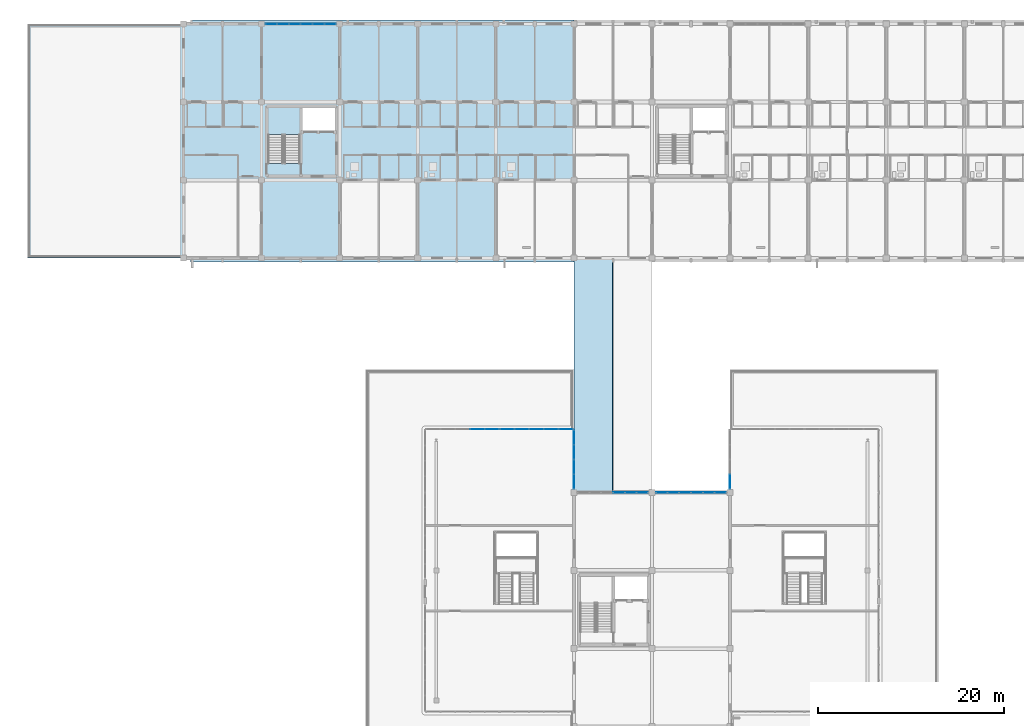
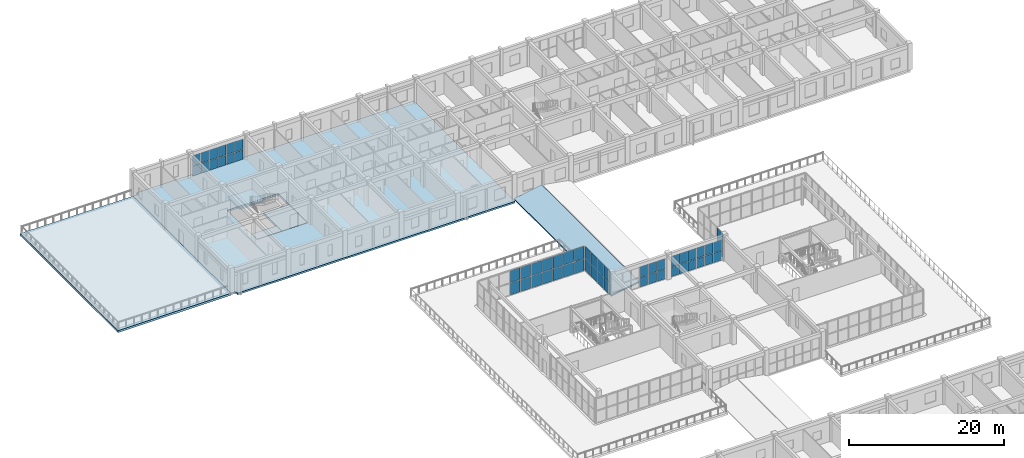
# One storey, part 56 of 90: 54 plates, 6 slabs, 8 elements without a shape of their own.
"""IFC4 building model written with IfcOpenShell, lengths in metres."""

import ifcopenshell
import ifcopenshell.guid

model = None  # the IFC model being written
_history = None  # IfcOwnerHistory: only IFC2X3 demands one
_inside = {}  # id of a spatial element -> (the spatial element, [elements in it])
_under = {}  # id of a project, library or spatial element -> (it, [spatial elements below it])
_declared = {}  # id of a project -> (the project, [libraries it declares])
_typed = {}  # id of a type object -> (the type object, [elements of that type])
_made_of = {}  # id of a material, layer set ... -> (it, [elements and type objects made of it])


def new_model(schema):
    """Start an empty IFC model of exactly this schema.

    Asked for "IFC4X3", IfcOpenShell would pick the latest addendum, in which some entities
    have other attributes; the version numbers below select the first issue.
    IFC2X3 requires an IfcOwnerHistory on every rooted entity: one is made here for all.
    """
    global model, _history
    if schema == "IFC4X3":
        model = ifcopenshell.file(schema_version=(4, 3, 0, 0))
    else:
        model = ifcopenshell.file(schema=schema)
    _inside.clear()
    _under.clear()
    _declared.clear()
    _typed.clear()
    _made_of.clear()
    _history = None
    if model.schema == "IFC2X3":
        org = make("IfcOrganization", Name="unknown")
        user = make(
            "IfcPersonAndOrganization",
            ThePerson=make("IfcPerson", FamilyName="unknown"),
            TheOrganization=org,
        )
        app = make(
            "IfcApplication",
            ApplicationDeveloper=org,
            Version="unknown",
            ApplicationFullName="unknown",
            ApplicationIdentifier="unknown",
        )
        _history = make(
            "IfcOwnerHistory",
            OwningUser=user,
            OwningApplication=app,
            ChangeAction="ADDED",
            CreationDate=0,
        )
    return model


def make(cls, **values):
    """One entity of the class cls with the attributes given. An attribute that is None is left unset."""
    return model.create_entity(
        cls, **{name: value for name, value in values.items() if value is not None}
    )


def rooted(cls, **values):
    """An entity with a GlobalId (a new one), such as an element, a storey or a relation."""
    return make(cls, GlobalId=ifcopenshell.guid.new(), OwnerHistory=_history, **values)


def si_unit(unit_type, name, prefix=None):
    """IfcSIUnit, for example si_unit("LENGTHUNIT", "METRE", prefix="MILLI")."""
    return make("IfcSIUnit", UnitType=unit_type, Prefix=prefix, Name=name)


def assignment(units):
    """IfcUnitAssignment: the units of a project."""
    return None if units is None else make("IfcUnitAssignment", Units=units)


def point(xyz):
    """IfcCartesianPoint."""
    return None if xyz is None else make("IfcCartesianPoint", Coordinates=xyz)


def direction(xyz):
    """IfcDirection."""
    return None if xyz is None else make("IfcDirection", DirectionRatios=xyz)


def frame(location, z_axis=None, x_axis=None):
    """IfcAxis2Placement3D, a coordinate frame: its origin and axes. An axis left out is left unset."""
    return make(
        "IfcAxis2Placement3D",
        Location=point(location),
        Axis=direction(z_axis),
        RefDirection=direction(x_axis),
    )


def frame_2d(location, x_axis=None):
    """IfcAxis2Placement2D, a coordinate frame in the plane: its origin and x axis."""
    return make(
        "IfcAxis2Placement2D", Location=point(location), RefDirection=direction(x_axis)
    )


def origin():
    """The frame at (0, 0, 0) with its axes left unset."""
    return frame((0.0, 0.0, 0.0))


def origin_2d():
    """The frame at (0, 0) in the plane with its x axis left unset."""
    return frame_2d((0.0, 0.0))


def place(relative_to, where):
    """IfcLocalPlacement: puts the frame where relative to a parent placement (None: the world)."""
    return make(
        "IfcLocalPlacement", PlacementRelTo=relative_to, RelativePlacement=where
    )


def context(
    kind, dimensions, precision=None, world=None, true_north=None, identifier=None
):
    """IfcGeometricRepresentationContext, for example the 3D "Model" context."""
    return make(
        "IfcGeometricRepresentationContext",
        ContextIdentifier=identifier,
        ContextType=kind,
        CoordinateSpaceDimension=dimensions,
        Precision=precision,
        WorldCoordinateSystem=world,
        TrueNorth=true_north,
    )


def subcontext(parent, identifier, kind, view, scale=None):
    """IfcGeometricRepresentationSubContext, for example "Body" below "Model"."""
    return make(
        "IfcGeometricRepresentationSubContext",
        ContextIdentifier=identifier,
        ContextType=kind,
        ParentContext=parent,
        TargetScale=scale,
        TargetView=view,
    )


def project(units=None, contexts=None):
    """IfcProject with its units and contexts."""
    return rooted(
        "IfcProject",
        Name="project",
        RepresentationContexts=contexts,
        UnitsInContext=assignment(units),
    )


def spatial(cls, under=None, at=None, **own):
    """A site, building, storey or space (cls), placed at a placement, below another one or the project."""
    s = rooted(cls, ObjectPlacement=at, **own)
    if under is not None:
        _under.setdefault(under.id(), (under, []))[1].append(s)
    return s


def polyline(points):
    """IfcPolyline through the points."""
    return make("IfcPolyline", Points=[point(p) for p in points])


def profile(cls, at=None, kind="AREA", **sizes):
    """A parametric profile (cls). Its sizes go by their IFC names, for example OverallWidth=200.0."""
    return make(cls, ProfileType=kind, Position=at, **sizes)


def rectangle(**sizes):
    """IfcRectangleProfileDef."""
    return profile("IfcRectangleProfileDef", **sizes)


def outline(outer, holes=None, kind="AREA"):
    """IfcArbitraryClosedProfileDef: a profile drawn as a closed curve; with holes, ...WithVoids."""
    if holes is None:
        return make("IfcArbitraryClosedProfileDef", ProfileType=kind, OuterCurve=outer)
    return make(
        "IfcArbitraryProfileDefWithVoids",
        ProfileType=kind,
        OuterCurve=outer,
        InnerCurves=holes,
    )


def extrude(swept, where, along, depth):
    """IfcExtrudedAreaSolid: the profile swept, set in the frame where, extruded along a direction by depth."""
    return make(
        "IfcExtrudedAreaSolid",
        SweptArea=swept,
        Position=where,
        ExtrudedDirection=direction(along),
        Depth=depth,
    )


def shape(context_of_items, identifier, shape_type, items):
    """IfcShapeRepresentation: the items that make up one representation, for example the "Body"."""
    return make(
        "IfcShapeRepresentation",
        ContextOfItems=context_of_items,
        RepresentationIdentifier=identifier,
        RepresentationType=shape_type,
        Items=items,
    )


def material(Name=None, Category=None):
    """IfcMaterial."""
    return make("IfcMaterial", Name=Name, Category=Category)


def layer(
    of_material, thickness, ventilated=None, Name=None, Category=None, Priority=None
):
    """IfcMaterialLayer: one layer of a wall or slab, of a material (None: an air gap)."""
    return make(
        "IfcMaterialLayer",
        Material=of_material,
        LayerThickness=thickness,
        IsVentilated=ventilated,
        Name=Name,
        Category=Category,
        Priority=Priority,
    )


def layer_set(layers, Name=None):
    """IfcMaterialLayerSet."""
    return make("IfcMaterialLayerSet", MaterialLayers=layers, LayerSetName=Name)


def made_of(thing, what):
    """Note that an element or type object is made of a material, layer set ...; save() writes the relation."""
    if what is not None:
        _made_of.setdefault(what.id(), (what, []))[1].append(thing)
    return thing


def type_object(cls, material=None, **own):
    """A type object (cls), such as IfcWallType, which elements share."""
    return made_of(rooted(cls, **own), material)


def element(
    cls,
    number,
    at=None,
    inside=None,
    cuts=None,
    type_object=None,
    material=None,
    context=None,
    identifier="Body",
    shape_type=None,
    held_by="IfcProductDefinitionShape",
    body=None,
    shapes=None,
    **own,
):
    """One element of the class cls, such as IfcWall. Its Tag is "e" and its number.

    at: its placement. inside: the storey or other place that contains it. cuts: it is an
    opening in that element (IfcRelVoidsElement). A single representation is given by context,
    identifier, shape_type and body (its items); several are given by shapes. held_by: the class
    of the entity that holds the representations. save() writes the other relations.
    """
    e = rooted(cls, Tag="e%d" % number, ObjectPlacement=at, **own)
    if body is not None:
        shapes = [shape(context, identifier, shape_type, body)]
    if shapes is not None:
        e.Representation = make(held_by, Representations=shapes)
    if inside is not None:
        _inside.setdefault(inside.id(), (inside, []))[1].append(e)
    if cuts is not None:
        rooted(
            "IfcRelVoidsElement", RelatingBuildingElement=cuts, RelatedOpeningElement=e
        )
    if type_object is not None:
        _typed.setdefault(type_object.id(), (type_object, []))[1].append(e)
    return made_of(e, material)


def aggregate(whole, parts):
    """IfcRelAggregates: a whole, such as a stair, and the parts it consists of."""
    return rooted("IfcRelAggregates", RelatingObject=whole, RelatedObjects=parts)


def save(model, path):
    """Write the relations noted so far, then the file.

    IfcRelAggregates (storeys below a building ...), IfcRelContainedInSpatialStructure (elements
    in a storey), IfcRelDefinesByType, IfcRelAssociatesMaterial and IfcRelDeclares: one each for
    every whole, place, type object, material and project.
    """
    for whole, parts in _under.values():
        aggregate(whole, parts)
    for where, things in _inside.values():
        rooted(
            "IfcRelContainedInSpatialStructure",
            RelatedElements=things,
            RelatingStructure=where,
        )
    for kind, things in _typed.values():
        rooted("IfcRelDefinesByType", RelatedObjects=things, RelatingType=kind)
    for what, things in _made_of.values():
        rooted("IfcRelAssociatesMaterial", RelatedObjects=things, RelatingMaterial=what)
    for by, libraries in _declared.values():
        rooted("IfcRelDeclares", RelatingContext=by, RelatedDefinitions=libraries)
    model.write(path)


model = new_model("IFC4")

# Units and contexts
model_context = context("Model", 3, precision=1e-05, world=origin(), true_north=direction((0.0, 1.0)))
body_context = subcontext(model_context, "Body", "Model", "MODEL_VIEW")
ifc_project = project(units=[si_unit("LENGTHUNIT", "METRE"), si_unit("AREAUNIT", "SQUARE_METRE"), si_unit("VOLUMEUNIT", "CUBIC_METRE"), si_unit("PLANEANGLEUNIT", "RADIAN"), si_unit("MASSUNIT", "GRAM", prefix="KILO")], contexts=[model_context])

# Site, building, storey
site_placement = place(None, origin())
site = spatial("IfcSite", under=ifc_project, at=site_placement, CompositionType="ELEMENT")
building_placement = place(site_placement, origin())
building = spatial("IfcBuilding", under=site, at=building_placement, Name="Trelvath General Hospital", CompositionType="ELEMENT")
storey_placement = place(building_placement, frame((0.0, 0.0, 20.39990234375)))
storey = spatial("IfcBuildingStorey", under=building, at=storey_placement, Name="L05", CompositionType="ELEMENT", Elevation=20.39990234375)

# Curtain wall, plates
ifc_material_1 = material(Name="Anodised aluminium and low-E glass", Category="aluminium")
ifc_layer_1 = layer(ifc_material_1, 0.14990234375)
ifc_layer_set_1 = layer_set([ifc_layer_1], Name="Anodised aluminium and low-E glass")
curtain_wall_type_1 = type_object("IfcCurtainWallType", Name="CW Facade 764 334 15", PredefinedType="USERDEFINED", material=ifc_layer_set_1)
curtain_wall_1_placement = place(storey_placement, origin())
curtain_wall_1 = element("IfcCurtainWall", 1, at=curtain_wall_1_placement, inside=storey, type_object=curtain_wall_type_1, Name="Facade Curtain Wall CW-069", ObjectType="Unitised Glazed Curtain Wall", PredefinedType="USERDEFINED")
ifc_material_2 = material(Name="Low-E laminated glass", Category="glass")
ifc_layer_2 = layer(ifc_material_2, 0.028076171875)
ifc_layer_set_2 = layer_set([ifc_layer_2], Name="Low-E laminated glass")
plate_type_1 = type_object("IfcPlateType", Name="CurtainPanel Glass28", PredefinedType="CURTAIN_PANEL", material=ifc_layer_set_2)
plate_1_placement = place(storey_placement, frame((43.03173828125, 117.60009765625, 0.06005859375), z_axis=(0.0, 0.0, 1.0), x_axis=(1.0, 0.0, 0.0)))
plate_1 = element("IfcPlate", 2, at=plate_1_placement, type_object=plate_type_1, Name="CW-069 panel 1.1", PredefinedType="CURTAIN_PANEL", context=body_context, shape_type="SweptSolid", body=[
    extrude(rectangle(XDim=1.183349609375, YDim=0.028076171875, at=origin_2d()), origin(), (0.0, 0.0, 1.0), 1.512939453125),
])
plate_2_placement = place(storey_placement, frame((43.03173828125, 117.60009765625, 1.633056640625), z_axis=(0.0, 0.0, 1.0), x_axis=(1.0, 0.0, 0.0)))
plate_2 = element("IfcPlate", 3, at=plate_2_placement, type_object=plate_type_1, Name="CW-069 panel 1.2", PredefinedType="CURTAIN_PANEL", context=body_context, shape_type="SweptSolid", body=[
    extrude(rectangle(XDim=1.183349609375, YDim=0.028076171875, at=origin_2d()), origin(), (0.0, 0.0, 1.0), 1.64697265625),
])
plate_3_placement = place(storey_placement, frame((44.2900390625, 117.60009765625, 0.06005859375), z_axis=(0.0, 0.0, 1.0), x_axis=(1.0, 0.0, 0.0)))
plate_3 = element("IfcPlate", 4, at=plate_3_placement, type_object=plate_type_1, Name="CW-069 panel 2.1", PredefinedType="CURTAIN_PANEL", context=body_context, shape_type="SweptSolid", body=[
    extrude(rectangle(XDim=1.21337890625, YDim=0.028076171875, at=origin_2d()), origin(), (0.0, 0.0, 1.0), 1.512939453125),
])
plate_4_placement = place(storey_placement, frame((44.2900390625, 117.60009765625, 1.633056640625), z_axis=(0.0, 0.0, 1.0), x_axis=(1.0, 0.0, 0.0)))
plate_4 = element("IfcPlate", 5, at=plate_4_placement, type_object=plate_type_1, Name="CW-069 panel 2.2", PredefinedType="CURTAIN_PANEL", context=body_context, shape_type="SweptSolid", body=[
    extrude(rectangle(XDim=1.21337890625, YDim=0.028076171875, at=origin_2d()), origin(), (0.0, 0.0, 1.0), 1.64697265625),
])
plate_5_placement = place(storey_placement, frame((45.563232421875, 117.60009765625, 0.06005859375), z_axis=(0.0, 0.0, 1.0), x_axis=(1.0, 0.0, 0.0)))
plate_5 = element("IfcPlate", 6, at=plate_5_placement, type_object=plate_type_1, Name="CW-069 panel 3.1", PredefinedType="CURTAIN_PANEL", context=body_context, shape_type="SweptSolid", body=[
    extrude(rectangle(XDim=1.21337890625, YDim=0.028076171875, at=origin_2d()), origin(), (0.0, 0.0, 1.0), 1.512939453125),
])
plate_6_placement = place(storey_placement, frame((45.563232421875, 117.60009765625, 1.633056640625), z_axis=(0.0, 0.0, 1.0), x_axis=(1.0, 0.0, 0.0)))
plate_6 = element("IfcPlate", 7, at=plate_6_placement, type_object=plate_type_1, Name="CW-069 panel 3.2", PredefinedType="CURTAIN_PANEL", context=body_context, shape_type="SweptSolid", body=[
    extrude(rectangle(XDim=1.21337890625, YDim=0.028076171875, at=origin_2d()), origin(), (0.0, 0.0, 1.0), 1.64697265625),
])
plate_7_placement = place(storey_placement, frame((46.836669921875, 117.60009765625, 0.06005859375), z_axis=(0.0, 0.0, 1.0), x_axis=(1.0, 0.0, 0.0)))
plate_7 = element("IfcPlate", 8, at=plate_7_placement, type_object=plate_type_1, Name="CW-069 panel 4.1", PredefinedType="CURTAIN_PANEL", context=body_context, shape_type="SweptSolid", body=[
    extrude(rectangle(XDim=1.21337890625, YDim=0.028076171875, at=origin_2d()), origin(), (0.0, 0.0, 1.0), 1.512939453125),
])
plate_8_placement = place(storey_placement, frame((46.836669921875, 117.60009765625, 1.633056640625), z_axis=(0.0, 0.0, 1.0), x_axis=(1.0, 0.0, 0.0)))
plate_8 = element("IfcPlate", 9, at=plate_8_placement, type_object=plate_type_1, Name="CW-069 panel 4.2", PredefinedType="CURTAIN_PANEL", context=body_context, shape_type="SweptSolid", body=[
    extrude(rectangle(XDim=1.21337890625, YDim=0.028076171875, at=origin_2d()), origin(), (0.0, 0.0, 1.0), 1.64697265625),
])
plate_9_placement = place(storey_placement, frame((48.110107421875, 117.60009765625, 0.06005859375), z_axis=(0.0, 0.0, 1.0), x_axis=(1.0, 0.0, 0.0)))
plate_9 = element("IfcPlate", 10, at=plate_9_placement, type_object=plate_type_1, Name="CW-069 panel 5.1", PredefinedType="CURTAIN_PANEL", context=body_context, shape_type="SweptSolid", body=[
    extrude(rectangle(XDim=1.21337890625, YDim=0.028076171875, at=origin_2d()), origin(), (0.0, 0.0, 1.0), 1.512939453125),
])
plate_10_placement = place(storey_placement, frame((48.110107421875, 117.60009765625, 1.633056640625), z_axis=(0.0, 0.0, 1.0), x_axis=(1.0, 0.0, 0.0)))
plate_10 = element("IfcPlate", 11, at=plate_10_placement, type_object=plate_type_1, Name="CW-069 panel 5.2", PredefinedType="CURTAIN_PANEL", context=body_context, shape_type="SweptSolid", body=[
    extrude(rectangle(XDim=1.21337890625, YDim=0.028076171875, at=origin_2d()), origin(), (0.0, 0.0, 1.0), 1.64697265625),
])
plate_11_placement = place(storey_placement, frame((49.368408203125, 117.60009765625, 0.06005859375), z_axis=(0.0, 0.0, 1.0), x_axis=(1.0, 0.0, 0.0)))
plate_11 = element("IfcPlate", 12, at=plate_11_placement, type_object=plate_type_1, Name="CW-069 panel 6.1", PredefinedType="CURTAIN_PANEL", context=body_context, shape_type="SweptSolid", body=[
    extrude(rectangle(XDim=1.183349609375, YDim=0.028076171875, at=origin_2d()), origin(), (0.0, 0.0, 1.0), 1.512939453125),
])
plate_12_placement = place(storey_placement, frame((49.368408203125, 117.60009765625, 1.633056640625), z_axis=(0.0, 0.0, 1.0), x_axis=(1.0, 0.0, 0.0)))
plate_12 = element("IfcPlate", 13, at=plate_12_placement, type_object=plate_type_1, Name="CW-069 panel 6.2", PredefinedType="CURTAIN_PANEL", context=body_context, shape_type="SweptSolid", body=[
    extrude(rectangle(XDim=1.183349609375, YDim=0.028076171875, at=origin_2d()), origin(), (0.0, 0.0, 1.0), 1.64697265625),
])
aggregate(curtain_wall_1, [plate_1, plate_2, plate_3, plate_4, plate_5, plate_6, plate_7, plate_8, plate_9, plate_10, plate_11, plate_12])

ifc_material_3 = material(Name="Anodised aluminium and low-E glass", Category="aluminium")
ifc_layer_3 = layer(ifc_material_3, 0.14990234375)
ifc_layer_set_3 = layer_set([ifc_layer_3], Name="Anodised aluminium and low-E glass")
curtain_wall_type_2 = type_object("IfcCurtainWallType", Name="CW CrystalCube 790 396 15", PredefinedType="USERDEFINED", material=ifc_layer_set_3)
curtain_wall_2_placement = place(storey_placement, origin())
curtain_wall_2 = element("IfcCurtainWall", 14, at=curtain_wall_2_placement, inside=storey, type_object=curtain_wall_type_2, Name="Crystal Cube Curtain Wall CUBE-W-T2 N1 L05", ObjectType="Unitised Glazed Curtain Wall", PredefinedType="USERDEFINED")
plate_13_placement = place(storey_placement, frame((65.2099609375, 74.0, 0.06005859375), z_axis=(0.0, 0.0, 1.0), x_axis=(1.0, 0.0, 0.0)))
plate_13 = element("IfcPlate", 15, at=plate_13_placement, type_object=plate_type_1, Name="CW-308 panel 4.1", PredefinedType="CURTAIN_PANEL", context=body_context, shape_type="SweptSolid", body=[
    extrude(rectangle(XDim=1.52001953125, YDim=0.028076171875, at=origin_2d()), origin(), (0.0, 0.0, 1.0), 1.889892578125),
])
plate_14_placement = place(storey_placement, frame((65.2099609375, 74.0, 2.01025390625), z_axis=(0.0, 0.0, 1.0), x_axis=(1.0, 0.0, 0.0)))
plate_14 = element("IfcPlate", 16, at=plate_14_placement, type_object=plate_type_1, Name="CW-308 panel 4.2", PredefinedType="CURTAIN_PANEL", context=body_context, shape_type="SweptSolid", body=[
    extrude(rectangle(XDim=1.52001953125, YDim=0.028076171875, at=origin_2d()), origin(), (0.0, 0.0, 1.0), 1.889892578125),
])
plate_15_placement = place(storey_placement, frame((66.77490234375, 74.0, 0.06005859375), z_axis=(0.0, 0.0, 1.0), x_axis=(1.0, 0.0, 0.0)))
plate_15 = element("IfcPlate", 17, at=plate_15_placement, type_object=plate_type_1, Name="CW-308 panel 5.1", PredefinedType="CURTAIN_PANEL", context=body_context, shape_type="SweptSolid", body=[
    extrude(rectangle(XDim=1.489990234375, YDim=0.028076171875, at=origin_2d()), origin(), (0.0, 0.0, 1.0), 1.889892578125),
])
plate_16_placement = place(storey_placement, frame((66.77490234375, 74.0, 2.01025390625), z_axis=(0.0, 0.0, 1.0), x_axis=(1.0, 0.0, 0.0)))
plate_16 = element("IfcPlate", 18, at=plate_16_placement, type_object=plate_type_1, Name="CW-308 panel 5.2", PredefinedType="CURTAIN_PANEL", context=body_context, shape_type="SweptSolid", body=[
    extrude(rectangle(XDim=1.489990234375, YDim=0.028076171875, at=origin_2d()), origin(), (0.0, 0.0, 1.0), 1.889892578125),
])
aggregate(curtain_wall_2, [plate_13, plate_14, plate_15, plate_16])

curtain_wall_3_placement = place(storey_placement, origin())
curtain_wall_3 = element("IfcCurtainWall", 19, at=curtain_wall_3_placement, inside=storey, type_object=curtain_wall_type_2, Name="Crystal Cube Curtain Wall CUBE-W-T2 N2 L05", ObjectType="Unitised Glazed Curtain Wall", PredefinedType="USERDEFINED")
plate_17_placement = place(storey_placement, frame((68.425048828125, 74.0, 0.06005859375), z_axis=(0.0, 0.0, 1.0), x_axis=(1.0, 0.0, 0.0)))
plate_17 = element("IfcPlate", 20, at=plate_17_placement, type_object=plate_type_1, Name="CW-309 panel 1.1", PredefinedType="CURTAIN_PANEL", context=body_context, shape_type="SweptSolid", body=[
    extrude(rectangle(XDim=1.489990234375, YDim=0.028076171875, at=origin_2d()), origin(), (0.0, 0.0, 1.0), 1.889892578125),
])
plate_18_placement = place(storey_placement, frame((68.425048828125, 74.0, 2.01025390625), z_axis=(0.0, 0.0, 1.0), x_axis=(1.0, 0.0, 0.0)))
plate_18 = element("IfcPlate", 21, at=plate_18_placement, type_object=plate_type_1, Name="CW-309 panel 1.2", PredefinedType="CURTAIN_PANEL", context=body_context, shape_type="SweptSolid", body=[
    extrude(rectangle(XDim=1.489990234375, YDim=0.028076171875, at=origin_2d()), origin(), (0.0, 0.0, 1.0), 1.889892578125),
])
plate_19_placement = place(storey_placement, frame((69.989990234375, 74.0, 0.06005859375), z_axis=(0.0, 0.0, 1.0), x_axis=(1.0, 0.0, 0.0)))
plate_19 = element("IfcPlate", 22, at=plate_19_placement, type_object=plate_type_1, Name="CW-309 panel 2.1", PredefinedType="CURTAIN_PANEL", context=body_context, shape_type="SweptSolid", body=[
    extrude(rectangle(XDim=1.52001953125, YDim=0.028076171875, at=origin_2d()), origin(), (0.0, 0.0, 1.0), 1.889892578125),
])
plate_20_placement = place(storey_placement, frame((69.989990234375, 74.0, 2.01025390625), z_axis=(0.0, 0.0, 1.0), x_axis=(1.0, 0.0, 0.0)))
plate_20 = element("IfcPlate", 23, at=plate_20_placement, type_object=plate_type_1, Name="CW-309 panel 2.2", PredefinedType="CURTAIN_PANEL", context=body_context, shape_type="SweptSolid", body=[
    extrude(rectangle(XDim=1.52001953125, YDim=0.028076171875, at=origin_2d()), origin(), (0.0, 0.0, 1.0), 1.889892578125),
])
plate_21_placement = place(storey_placement, frame((71.570068359375, 74.0, 0.06005859375), z_axis=(0.0, 0.0, 1.0), x_axis=(1.0, 0.0, 0.0)))
plate_21 = element("IfcPlate", 24, at=plate_21_placement, type_object=plate_type_1, Name="CW-309 panel 3.1", PredefinedType="CURTAIN_PANEL", context=body_context, shape_type="SweptSolid", body=[
    extrude(rectangle(XDim=1.52001953125, YDim=0.028076171875, at=origin_2d()), origin(), (0.0, 0.0, 1.0), 1.889892578125),
])
plate_22_placement = place(storey_placement, frame((71.570068359375, 74.0, 2.01025390625), z_axis=(0.0, 0.0, 1.0), x_axis=(1.0, 0.0, 0.0)))
plate_22 = element("IfcPlate", 25, at=plate_22_placement, type_object=plate_type_1, Name="CW-309 panel 3.2", PredefinedType="CURTAIN_PANEL", context=body_context, shape_type="SweptSolid", body=[
    extrude(rectangle(XDim=1.52001953125, YDim=0.028076171875, at=origin_2d()), origin(), (0.0, 0.0, 1.0), 1.889892578125),
])
plate_23_placement = place(storey_placement, frame((73.14990234375, 74.0, 0.06005859375), z_axis=(0.0, 0.0, 1.0), x_axis=(1.0, 0.0, 0.0)))
plate_23 = element("IfcPlate", 26, at=plate_23_placement, type_object=plate_type_1, Name="CW-309 panel 4.1", PredefinedType="CURTAIN_PANEL", context=body_context, shape_type="SweptSolid", body=[
    extrude(rectangle(XDim=1.52001953125, YDim=0.028076171875, at=origin_2d()), origin(), (0.0, 0.0, 1.0), 1.889892578125),
])
plate_24_placement = place(storey_placement, frame((73.14990234375, 74.0, 2.01025390625), z_axis=(0.0, 0.0, 1.0), x_axis=(1.0, 0.0, 0.0)))
plate_24 = element("IfcPlate", 27, at=plate_24_placement, type_object=plate_type_1, Name="CW-309 panel 4.2", PredefinedType="CURTAIN_PANEL", context=body_context, shape_type="SweptSolid", body=[
    extrude(rectangle(XDim=1.52001953125, YDim=0.028076171875, at=origin_2d()), origin(), (0.0, 0.0, 1.0), 1.889892578125),
])
plate_25_placement = place(storey_placement, frame((74.715087890625, 74.0, 0.06005859375), z_axis=(0.0, 0.0, 1.0), x_axis=(1.0, 0.0, 0.0)))
plate_25 = element("IfcPlate", 28, at=plate_25_placement, type_object=plate_type_1, Name="CW-309 panel 5.1", PredefinedType="CURTAIN_PANEL", context=body_context, shape_type="SweptSolid", body=[
    extrude(rectangle(XDim=1.489990234375, YDim=0.028076171875, at=origin_2d()), origin(), (0.0, 0.0, 1.0), 1.889892578125),
])
plate_26_placement = place(storey_placement, frame((74.715087890625, 74.0, 2.01025390625), z_axis=(0.0, 0.0, 1.0), x_axis=(1.0, 0.0, 0.0)))
plate_26 = element("IfcPlate", 29, at=plate_26_placement, type_object=plate_type_1, Name="CW-309 panel 5.2", PredefinedType="CURTAIN_PANEL", context=body_context, shape_type="SweptSolid", body=[
    extrude(rectangle(XDim=1.489990234375, YDim=0.028076171875, at=origin_2d()), origin(), (0.0, 0.0, 1.0), 1.889892578125),
])
aggregate(curtain_wall_3, [plate_17, plate_18, plate_19, plate_20, plate_21, plate_22, plate_23, plate_24, plate_25, plate_26])

ifc_material_4 = material(Name="Anodised aluminium and low-E glass", Category="aluminium")
ifc_layer_4 = layer(ifc_material_4, 0.14990234375)
ifc_layer_set_4 = layer_set([ifc_layer_4], Name="Anodised aluminium and low-E glass")
curtain_wall_type_3 = type_object("IfcCurtainWallType", Name="CW CrystalCube 636 396 15", PredefinedType="USERDEFINED", material=ifc_layer_set_4)
curtain_wall_4_placement = place(storey_placement, origin())
curtain_wall_4 = element("IfcCurtainWall", 30, at=curtain_wall_4_placement, inside=storey, type_object=curtain_wall_type_3, Name="Crystal Cube Curtain Wall CUBE-W-T2 E5 L05", ObjectType="Unitised Glazed Curtain Wall", PredefinedType="USERDEFINED")
plate_27_placement = place(storey_placement, frame((75.60009765625, 73.109375, 0.06005859375), z_axis=(0.0, 0.0, 1.0), x_axis=(0.0, -1.0, 0.0)))
plate_27 = element("IfcPlate", 31, at=plate_27_placement, type_object=plate_type_1, Name="CW-314 panel 1.1", PredefinedType="CURTAIN_PANEL", context=body_context, shape_type="SweptSolid", body=[
    extrude(rectangle(XDim=1.501220703125, YDim=0.028076171875, at=origin_2d()), origin(), (0.0, 0.0, 1.0), 1.889892578125),
])
plate_28_placement = place(storey_placement, frame((75.60009765625, 73.109375, 2.01025390625), z_axis=(0.0, 0.0, 1.0), x_axis=(0.0, -1.0, 0.0)))
plate_28 = element("IfcPlate", 32, at=plate_28_placement, type_object=plate_type_1, Name="CW-314 panel 1.2", PredefinedType="CURTAIN_PANEL", context=body_context, shape_type="SweptSolid", body=[
    extrude(rectangle(XDim=1.501220703125, YDim=0.028076171875, at=origin_2d()), origin(), (0.0, 0.0, 1.0), 1.889892578125),
])
plate_29_placement = place(storey_placement, frame((75.60009765625, 71.533203125, 0.06005859375), z_axis=(0.0, 0.0, 1.0), x_axis=(0.0, -1.0, 0.0)))
plate_29 = element("IfcPlate", 33, at=plate_29_placement, type_object=plate_type_1, Name="CW-314 panel 2.1", PredefinedType="CURTAIN_PANEL", context=body_context, shape_type="SweptSolid", body=[
    extrude(rectangle(XDim=1.53125, YDim=0.028076171875, at=origin_2d()), origin(), (0.0, 0.0, 1.0), 1.889892578125),
])
plate_30_placement = place(storey_placement, frame((75.60009765625, 71.533203125, 2.01025390625), z_axis=(0.0, 0.0, 1.0), x_axis=(0.0, -1.0, 0.0)))
plate_30 = element("IfcPlate", 34, at=plate_30_placement, type_object=plate_type_1, Name="CW-314 panel 2.2", PredefinedType="CURTAIN_PANEL", context=body_context, shape_type="SweptSolid", body=[
    extrude(rectangle(XDim=1.53125, YDim=0.028076171875, at=origin_2d()), origin(), (0.0, 0.0, 1.0), 1.889892578125),
])
plate_31_placement = place(storey_placement, frame((75.60009765625, 69.94189453125, 0.06005859375), z_axis=(0.0, 0.0, 1.0), x_axis=(0.0, -1.0, 0.0)))
plate_31 = element("IfcPlate", 35, at=plate_31_placement, type_object=plate_type_1, Name="CW-314 panel 3.1", PredefinedType="CURTAIN_PANEL", context=body_context, shape_type="SweptSolid", body=[
    extrude(rectangle(XDim=1.53125, YDim=0.028076171875, at=origin_2d()), origin(), (0.0, 0.0, 1.0), 1.889892578125),
])
plate_32_placement = place(storey_placement, frame((75.60009765625, 69.94189453125, 2.01025390625), z_axis=(0.0, 0.0, 1.0), x_axis=(0.0, -1.0, 0.0)))
plate_32 = element("IfcPlate", 36, at=plate_32_placement, type_object=plate_type_1, Name="CW-314 panel 3.2", PredefinedType="CURTAIN_PANEL", context=body_context, shape_type="SweptSolid", body=[
    extrude(rectangle(XDim=1.53125, YDim=0.028076171875, at=origin_2d()), origin(), (0.0, 0.0, 1.0), 1.889892578125),
])
plate_33_placement = place(storey_placement, frame((75.60009765625, 68.36572265625, 0.06005859375), z_axis=(0.0, 0.0, 1.0), x_axis=(0.0, -1.0, 0.0)))
plate_33 = element("IfcPlate", 37, at=plate_33_placement, type_object=plate_type_1, Name="CW-314 panel 4.1", PredefinedType="CURTAIN_PANEL", context=body_context, shape_type="SweptSolid", body=[
    extrude(rectangle(XDim=1.501220703125, YDim=0.028076171875, at=origin_2d()), origin(), (0.0, 0.0, 1.0), 1.889892578125),
])
plate_34_placement = place(storey_placement, frame((75.60009765625, 68.36572265625, 2.01025390625), z_axis=(0.0, 0.0, 1.0), x_axis=(0.0, -1.0, 0.0)))
plate_34 = element("IfcPlate", 38, at=plate_34_placement, type_object=plate_type_1, Name="CW-314 panel 4.2", PredefinedType="CURTAIN_PANEL", context=body_context, shape_type="SweptSolid", body=[
    extrude(rectangle(XDim=1.501220703125, YDim=0.028076171875, at=origin_2d()), origin(), (0.0, 0.0, 1.0), 1.889892578125),
])
aggregate(curtain_wall_4, [plate_27, plate_28, plate_29, plate_30, plate_31, plate_32, plate_33, plate_34])

curtain_wall_5_placement = place(storey_placement, origin())
curtain_wall_5 = element("IfcCurtainWall", 39, at=curtain_wall_5_placement, inside=storey, type_object=curtain_wall_type_3, Name="Crystal Cube Curtain Wall CUBE-E-T2 W5 L05", ObjectType="Unitised Glazed Curtain Wall", PredefinedType="USERDEFINED")
plate_35_placement = place(storey_placement, frame((92.39990234375, 68.36572265625, 0.06005859375), z_axis=(0.0, 0.0, 1.0), x_axis=(0.0, 1.0, 0.0)))
plate_35 = element("IfcPlate", 40, at=plate_35_placement, type_object=plate_type_1, Name="CW-323 panel 1.1", PredefinedType="CURTAIN_PANEL", context=body_context, shape_type="SweptSolid", body=[
    extrude(rectangle(XDim=1.501220703125, YDim=0.028076171875, at=origin_2d()), origin(), (0.0, 0.0, 1.0), 1.889892578125),
])
plate_36_placement = place(storey_placement, frame((92.39990234375, 68.36572265625, 2.01025390625), z_axis=(0.0, 0.0, 1.0), x_axis=(0.0, 1.0, 0.0)))
plate_36 = element("IfcPlate", 41, at=plate_36_placement, type_object=plate_type_1, Name="CW-323 panel 1.2", PredefinedType="CURTAIN_PANEL", context=body_context, shape_type="SweptSolid", body=[
    extrude(rectangle(XDim=1.501220703125, YDim=0.028076171875, at=origin_2d()), origin(), (0.0, 0.0, 1.0), 1.889892578125),
])
aggregate(curtain_wall_5, [plate_35, plate_36])

curtain_wall_6_placement = place(storey_placement, origin())
curtain_wall_6 = element("IfcCurtainWall", 42, at=curtain_wall_6_placement, inside=storey, type_object=curtain_wall_type_1, Name="Facade Curtain Wall CW-071", ObjectType="Unitised Glazed Curtain Wall", PredefinedType="USERDEFINED")
ifc_material_5 = material(Name="Low-E laminated glass", Category="glass")
ifc_layer_5 = layer(ifc_material_5, 0.035888671875)
ifc_layer_set_5 = layer_set([ifc_layer_5], Name="Low-E laminated glass")
plate_type_2 = type_object("IfcPlateType", Name="CurtainPanel Glass36", PredefinedType="CURTAIN_PANEL", material=ifc_layer_set_5)
plate_37_placement = place(storey_placement, frame((80.436767578125, 67.199951171875, 0.06005859375), z_axis=(0.0, 0.0, 1.0), x_axis=(1.0, 0.0, 0.0)))
plate_37 = element("IfcPlate", 43, at=plate_37_placement, type_object=plate_type_2, Name="CW-071 panel 4.1", PredefinedType="CURTAIN_PANEL", context=body_context, shape_type="SweptSolid", body=[
    extrude(rectangle(XDim=1.21337890625, YDim=0.035888671875, at=origin_2d()), origin(), (0.0, 0.0, 1.0), 1.512939453125),
])
plate_38_placement = place(storey_placement, frame((80.436767578125, 67.199951171875, 1.633056640625), z_axis=(0.0, 0.0, 1.0), x_axis=(1.0, 0.0, 0.0)))
plate_38 = element("IfcPlate", 44, at=plate_38_placement, type_object=plate_type_2, Name="CW-071 panel 4.2", PredefinedType="CURTAIN_PANEL", context=body_context, shape_type="SweptSolid", body=[
    extrude(rectangle(XDim=1.21337890625, YDim=0.035888671875, at=origin_2d()), origin(), (0.0, 0.0, 1.0), 1.64697265625),
])
plate_39_placement = place(storey_placement, frame((81.7099609375, 67.199951171875, 0.06005859375), z_axis=(0.0, 0.0, 1.0), x_axis=(1.0, 0.0, 0.0)))
plate_39 = element("IfcPlate", 45, at=plate_39_placement, type_object=plate_type_2, Name="CW-071 panel 5.1", PredefinedType="CURTAIN_PANEL", context=body_context, shape_type="SweptSolid", body=[
    extrude(rectangle(XDim=1.21337890625, YDim=0.035888671875, at=origin_2d()), origin(), (0.0, 0.0, 1.0), 1.512939453125),
])
plate_40_placement = place(storey_placement, frame((81.7099609375, 67.199951171875, 1.633056640625), z_axis=(0.0, 0.0, 1.0), x_axis=(1.0, 0.0, 0.0)))
plate_40 = element("IfcPlate", 46, at=plate_40_placement, type_object=plate_type_2, Name="CW-071 panel 5.2", PredefinedType="CURTAIN_PANEL", context=body_context, shape_type="SweptSolid", body=[
    extrude(rectangle(XDim=1.21337890625, YDim=0.035888671875, at=origin_2d()), origin(), (0.0, 0.0, 1.0), 1.64697265625),
])
plate_41_placement = place(storey_placement, frame((82.96826171875, 67.199951171875, 0.06005859375), z_axis=(0.0, 0.0, 1.0), x_axis=(1.0, 0.0, 0.0)))
plate_41 = element("IfcPlate", 47, at=plate_41_placement, type_object=plate_type_2, Name="CW-071 panel 6.1", PredefinedType="CURTAIN_PANEL", context=body_context, shape_type="SweptSolid", body=[
    extrude(rectangle(XDim=1.183349609375, YDim=0.035888671875, at=origin_2d()), origin(), (0.0, 0.0, 1.0), 1.512939453125),
])
plate_42_placement = place(storey_placement, frame((82.96826171875, 67.199951171875, 1.633056640625), z_axis=(0.0, 0.0, 1.0), x_axis=(1.0, 0.0, 0.0)))
plate_42 = element("IfcPlate", 48, at=plate_42_placement, type_object=plate_type_2, Name="CW-071 panel 6.2", PredefinedType="CURTAIN_PANEL", context=body_context, shape_type="SweptSolid", body=[
    extrude(rectangle(XDim=1.183349609375, YDim=0.035888671875, at=origin_2d()), origin(), (0.0, 0.0, 1.0), 1.64697265625),
])
aggregate(curtain_wall_6, [plate_37, plate_38, plate_39, plate_40, plate_41, plate_42])

curtain_wall_7_placement = place(storey_placement, origin())
curtain_wall_7 = element("IfcCurtainWall", 49, at=curtain_wall_7_placement, inside=storey, type_object=curtain_wall_type_1, Name="Facade Curtain Wall CW-073", ObjectType="Unitised Glazed Curtain Wall", PredefinedType="USERDEFINED")
plate_43_placement = place(storey_placement, frame((85.03173828125, 67.199951171875, 0.06005859375), z_axis=(0.0, 0.0, 1.0), x_axis=(1.0, 0.0, 0.0)))
plate_43 = element("IfcPlate", 50, at=plate_43_placement, type_object=plate_type_2, Name="CW-073 panel 1.1", PredefinedType="CURTAIN_PANEL", context=body_context, shape_type="SweptSolid", body=[
    extrude(rectangle(XDim=1.183349609375, YDim=0.035888671875, at=origin_2d()), origin(), (0.0, 0.0, 1.0), 1.512939453125),
])
plate_44_placement = place(storey_placement, frame((85.03173828125, 67.199951171875, 1.633056640625), z_axis=(0.0, 0.0, 1.0), x_axis=(1.0, 0.0, 0.0)))
plate_44 = element("IfcPlate", 51, at=plate_44_placement, type_object=plate_type_2, Name="CW-073 panel 1.2", PredefinedType="CURTAIN_PANEL", context=body_context, shape_type="SweptSolid", body=[
    extrude(rectangle(XDim=1.183349609375, YDim=0.035888671875, at=origin_2d()), origin(), (0.0, 0.0, 1.0), 1.64697265625),
])
plate_45_placement = place(storey_placement, frame((86.2900390625, 67.199951171875, 0.06005859375), z_axis=(0.0, 0.0, 1.0), x_axis=(1.0, 0.0, 0.0)))
plate_45 = element("IfcPlate", 52, at=plate_45_placement, type_object=plate_type_2, Name="CW-073 panel 2.1", PredefinedType="CURTAIN_PANEL", context=body_context, shape_type="SweptSolid", body=[
    extrude(rectangle(XDim=1.21337890625, YDim=0.035888671875, at=origin_2d()), origin(), (0.0, 0.0, 1.0), 1.512939453125),
])
plate_46_placement = place(storey_placement, frame((86.2900390625, 67.199951171875, 1.633056640625), z_axis=(0.0, 0.0, 1.0), x_axis=(1.0, 0.0, 0.0)))
plate_46 = element("IfcPlate", 53, at=plate_46_placement, type_object=plate_type_2, Name="CW-073 panel 2.2", PredefinedType="CURTAIN_PANEL", context=body_context, shape_type="SweptSolid", body=[
    extrude(rectangle(XDim=1.21337890625, YDim=0.035888671875, at=origin_2d()), origin(), (0.0, 0.0, 1.0), 1.64697265625),
])
plate_47_placement = place(storey_placement, frame((87.563232421875, 67.199951171875, 0.06005859375), z_axis=(0.0, 0.0, 1.0), x_axis=(1.0, 0.0, 0.0)))
plate_47 = element("IfcPlate", 54, at=plate_47_placement, type_object=plate_type_2, Name="CW-073 panel 3.1", PredefinedType="CURTAIN_PANEL", context=body_context, shape_type="SweptSolid", body=[
    extrude(rectangle(XDim=1.21337890625, YDim=0.035888671875, at=origin_2d()), origin(), (0.0, 0.0, 1.0), 1.512939453125),
])
plate_48_placement = place(storey_placement, frame((87.563232421875, 67.199951171875, 1.633056640625), z_axis=(0.0, 0.0, 1.0), x_axis=(1.0, 0.0, 0.0)))
plate_48 = element("IfcPlate", 55, at=plate_48_placement, type_object=plate_type_2, Name="CW-073 panel 3.2", PredefinedType="CURTAIN_PANEL", context=body_context, shape_type="SweptSolid", body=[
    extrude(rectangle(XDim=1.21337890625, YDim=0.035888671875, at=origin_2d()), origin(), (0.0, 0.0, 1.0), 1.64697265625),
])
plate_49_placement = place(storey_placement, frame((88.836669921875, 67.199951171875, 0.06005859375), z_axis=(0.0, 0.0, 1.0), x_axis=(1.0, 0.0, 0.0)))
plate_49 = element("IfcPlate", 56, at=plate_49_placement, type_object=plate_type_2, Name="CW-073 panel 4.1", PredefinedType="CURTAIN_PANEL", context=body_context, shape_type="SweptSolid", body=[
    extrude(rectangle(XDim=1.21337890625, YDim=0.035888671875, at=origin_2d()), origin(), (0.0, 0.0, 1.0), 1.512939453125),
])
plate_50_placement = place(storey_placement, frame((88.836669921875, 67.199951171875, 1.633056640625), z_axis=(0.0, 0.0, 1.0), x_axis=(1.0, 0.0, 0.0)))
plate_50 = element("IfcPlate", 57, at=plate_50_placement, type_object=plate_type_2, Name="CW-073 panel 4.2", PredefinedType="CURTAIN_PANEL", context=body_context, shape_type="SweptSolid", body=[
    extrude(rectangle(XDim=1.21337890625, YDim=0.035888671875, at=origin_2d()), origin(), (0.0, 0.0, 1.0), 1.64697265625),
])
plate_51_placement = place(storey_placement, frame((90.110107421875, 67.199951171875, 0.06005859375), z_axis=(0.0, 0.0, 1.0), x_axis=(1.0, 0.0, 0.0)))
plate_51 = element("IfcPlate", 58, at=plate_51_placement, type_object=plate_type_2, Name="CW-073 panel 5.1", PredefinedType="CURTAIN_PANEL", context=body_context, shape_type="SweptSolid", body=[
    extrude(rectangle(XDim=1.21337890625, YDim=0.035888671875, at=origin_2d()), origin(), (0.0, 0.0, 1.0), 1.512939453125),
])
plate_52_placement = place(storey_placement, frame((90.110107421875, 67.199951171875, 1.633056640625), z_axis=(0.0, 0.0, 1.0), x_axis=(1.0, 0.0, 0.0)))
plate_52 = element("IfcPlate", 59, at=plate_52_placement, type_object=plate_type_2, Name="CW-073 panel 5.2", PredefinedType="CURTAIN_PANEL", context=body_context, shape_type="SweptSolid", body=[
    extrude(rectangle(XDim=1.21337890625, YDim=0.035888671875, at=origin_2d()), origin(), (0.0, 0.0, 1.0), 1.64697265625),
])
plate_53_placement = place(storey_placement, frame((91.368408203125, 67.199951171875, 0.06005859375), z_axis=(0.0, 0.0, 1.0), x_axis=(1.0, 0.0, 0.0)))
plate_53 = element("IfcPlate", 60, at=plate_53_placement, type_object=plate_type_2, Name="CW-073 panel 6.1", PredefinedType="CURTAIN_PANEL", context=body_context, shape_type="SweptSolid", body=[
    extrude(rectangle(XDim=1.183349609375, YDim=0.035888671875, at=origin_2d()), origin(), (0.0, 0.0, 1.0), 1.512939453125),
])
plate_54_placement = place(storey_placement, frame((91.368408203125, 67.199951171875, 1.633056640625), z_axis=(0.0, 0.0, 1.0), x_axis=(1.0, 0.0, 0.0)))
plate_54 = element("IfcPlate", 61, at=plate_54_placement, type_object=plate_type_2, Name="CW-073 panel 6.2", PredefinedType="CURTAIN_PANEL", context=body_context, shape_type="SweptSolid", body=[
    extrude(rectangle(XDim=1.183349609375, YDim=0.035888671875, at=origin_2d()), origin(), (0.0, 0.0, 1.0), 1.64697265625),
])
aggregate(curtain_wall_7, [plate_43, plate_44, plate_45, plate_46, plate_47, plate_48, plate_49, plate_50, plate_51, plate_52, plate_53, plate_54])

# Slabs
ifc_material_6 = material(Name="Concrete C35/45", Category="concrete")
ifc_layer_6 = layer(ifc_material_6, 0.260009765625)
ifc_layer_set_6 = layer_set([ifc_layer_6], Name="Concrete C35/45")
slab_type_1 = type_object("IfcSlabType", Name="FlatSlab Ward260", PredefinedType="FLOOR", material=ifc_layer_set_6)
slab_1_placement = place(storey_placement, frame((0.0, 0.0, -0.260009765625)))
element("IfcSlab", 62, at=slab_1_placement, inside=storey, type_object=slab_type_1, Name="Floor Slab SL-L05-V5-N1", PredefinedType="FLOOR", context=body_context, shape_type="SweptSolid", body=[
    extrude(outline(polyline([(33.60009765625, 117.60009765625), (34.35009765625, 117.60009765625), (34.35009765625, 118.02001953125), (75.60009765625, 118.02001953125), (75.60009765625, 117.6201171875), (75.580078125, 117.6201171875), (75.60009765625, 117.60009765625), (75.60009765625, 92.39990234375), (75.580078125, 92.39990234375), (75.60009765625, 92.3798828125), (75.60009765625, 91.97998046875), (34.35009765625, 91.97998046875), (34.35009765625, 92.39990234375), (33.60009765625, 92.39990234375), (33.60009765625, 117.60009765625)]), holes=[polyline([(42.550048828125, 101.199951171875), (50.050048828125, 101.199951171875), (50.050048828125, 108.75), (42.550048828125, 108.75), (42.550048828125, 101.199951171875)])]), origin(), (0.0, 0.0, 1.0), 0.260009765625),
])
slab_2_placement = place(storey_placement, frame((0.0, 0.0, -0.260009765625)))
element("IfcSlab", 63, at=slab_2_placement, inside=storey, type_object=slab_type_1, Name="Core Lobby Slab C1 L05", PredefinedType="FLOOR", context=body_context, shape_type="SweptSolid", body=[
    extrude(outline(polyline([(46.25, 101.199951171875), (50.050048828125, 101.199951171875), (50.050048828125, 105.949951171875), (46.25, 105.949951171875), (46.25, 101.199951171875)])), origin(), (0.0, 0.0, 1.0), 0.260009765625),
])
slab_3_placement = place(storey_placement, frame((0.0, 0.0, -0.260009765625)))
element("IfcSlab", 64, at=slab_3_placement, inside=storey, type_object=slab_type_1, Name="Stair Landing Slab C1 L05", PredefinedType="FLOOR", context=body_context, shape_type="SweptSolid", body=[
    extrude(outline(polyline([(42.550048828125, 101.199951171875), (46.25, 101.199951171875), (46.25, 102.60009765625), (42.550048828125, 102.60009765625), (42.550048828125, 101.199951171875)])), origin(), (0.0, 0.0, 1.0), 0.260009765625),
])
ifc_material_7 = material(Name="Concrete C35/45", Category="concrete")
ifc_layer_7 = layer(ifc_material_7, 0.320068359375)
ifc_layer_set_7 = layer_set([ifc_layer_7], Name="Concrete C35/45")
slab_type_2 = type_object("IfcSlabType", Name="PlantedTerraceSlab 320", PredefinedType="ROOF", material=ifc_layer_set_7)
slab_4_placement = place(storey_placement, frame((0.0, 0.0, -0.31982421875)))
element("IfcSlab", 65, at=slab_4_placement, inside=storey, type_object=slab_type_2, Name="Planted Healing Terrace TERR-NW-W5 L05", PredefinedType="ROOF", context=body_context, shape_type="SweptSolid", body=[
    extrude(outline(polyline([(16.800048828125, 92.39990234375), (33.60009765625, 92.39990234375), (33.60009765625, 117.60009765625), (16.800048828125, 117.60009765625), (16.800048828125, 92.39990234375)])), origin(), (0.0, 0.0, 1.0), 0.31982421875),
])
ifc_material_8 = material(Name="Concrete C35/45", Category="concrete")
ifc_layer_8 = layer(ifc_material_8, 0.219970703125)
ifc_layer_set_8 = layer_set([ifc_layer_8], Name="Concrete C35/45")
slab_type_3 = type_object("IfcSlabType", Name="RoofSlab Folded220", PredefinedType="ROOF", material=ifc_layer_set_8)
slab_5_placement = place(storey_placement, frame((75.6201171875, 67.260009765625, 0.22998046875), z_axis=(-0.171798287749, 0.0, 0.985132147647), x_axis=(0.985132147647, 0.0, 0.171798287749)))
element("IfcSlab", 66, at=slab_5_placement, inside=storey, type_object=slab_type_3, Name="Glazed Bridge Gable Roof BRG-N-C W", PredefinedType="ROOF", context=body_context, shape_type="SweptSolid", body=[
    extrude(outline(polyline([(0.0, 0.0), (4.19221200157396, 0.0), (4.19221200157396, 25.080078125000007), (0.0, 25.080078125000007), (0.0, 0.0)])), origin(), (0.0, 0.0, -1.0), 0.219970703125),
])

# Stair, slab
ifc_material_9 = material(Name="Concrete C35/45", Category="concrete")
stair_type = type_object("IfcStairType", Name="Stair Stretcher420", PredefinedType="TWO_STRAIGHT_RUN_STAIR", material=ifc_material_9)
stair_placement = place(storey_placement, origin())
stair = element("IfcStair", 67, at=stair_placement, inside=storey, type_object=stair_type, Name="Exit Stair ST1 L05", PredefinedType="TWO_STRAIGHT_RUN_STAIR")
ifc_material_10 = material(Name="Concrete C35/45", Category="concrete")
ifc_layer_9 = layer(ifc_material_10, 0.199951171875)
ifc_layer_set_9 = layer_set([ifc_layer_9], Name="Concrete C35/45")
slab_type_4 = type_object("IfcSlabType", Name="StairLanding 200", PredefinedType="LANDING", material=ifc_layer_set_9)
slab_6_placement = place(storey_placement, frame((0.0, 0.0, 1.900146484375)))
slab_6 = element("IfcSlab", 68, at=slab_6_placement, type_object=slab_type_4, Name="ST1-L05 landing 1", PredefinedType="LANDING", context=body_context, shape_type="SweptSolid", body=[
    extrude(outline(polyline([(42.56005859375, 105.679931640625), (46.239990234375, 105.679931640625), (46.239990234375, 108.739990234375), (42.56005859375, 108.739990234375), (42.56005859375, 105.679931640625)])), origin(), (0.0, 0.0, 1.0), 0.199951171875),
])
aggregate(stair, [slab_6])

save(model, "model.ifc")
